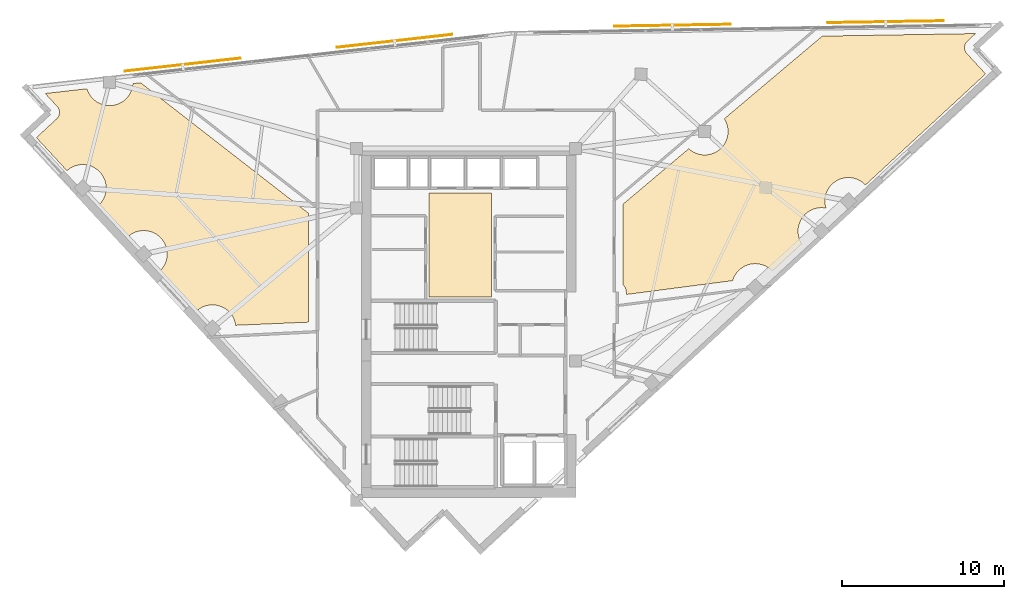
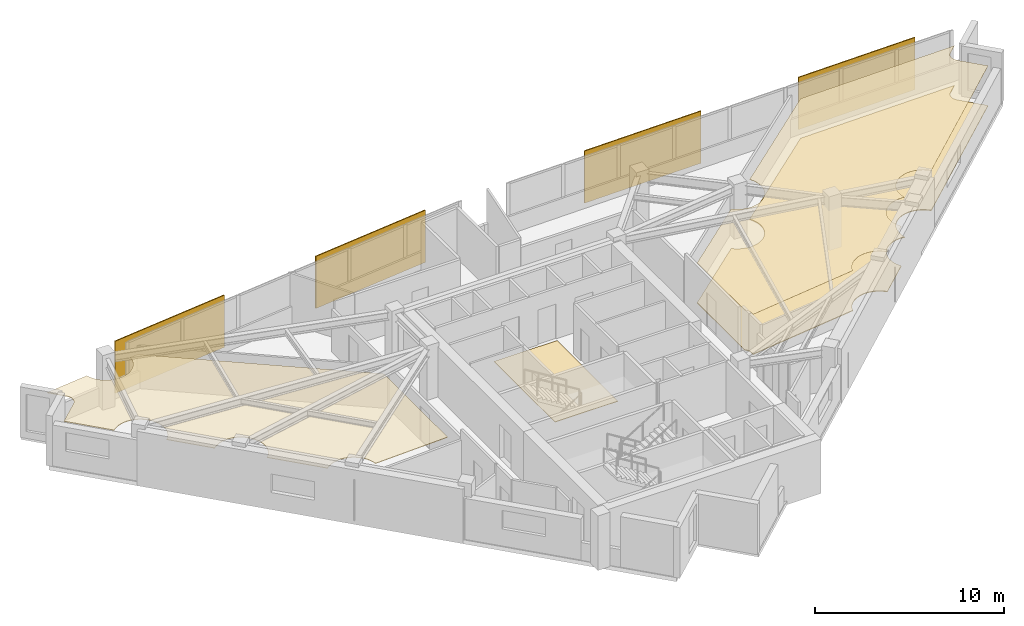
# One storey, part 13 of 13: 4 coverings, 4 shading devices.
"""IFC4 building model written with IfcOpenShell, lengths in metres."""

from ifc_helpers import new_model, si_unit, direction, frame, origin, origin_2d, place, context, subcontext, project, spatial, polyline, rectangle, outline, extrude, material, layer, layer_set, type_object, element, save


model = new_model("IFC4")

# Units and contexts
model_context = context("Model", 3, precision=1e-05, world=origin(), true_north=direction((0.0, 1.0)))
body_context = subcontext(model_context, "Body", "Model", "MODEL_VIEW")
ifc_project = project(units=[si_unit("LENGTHUNIT", "METRE"), si_unit("AREAUNIT", "SQUARE_METRE"), si_unit("VOLUMEUNIT", "CUBIC_METRE"), si_unit("PLANEANGLEUNIT", "RADIAN"), si_unit("MASSUNIT", "GRAM", prefix="KILO")], contexts=[model_context])

# Site, building, storey
site_placement = place(None, origin())
site = spatial("IfcSite", under=ifc_project, at=site_placement, CompositionType="ELEMENT")
building_placement = place(site_placement, origin())
building = spatial("IfcBuilding", under=site, at=building_placement, Name="Narakoshi Arena Tower", CompositionType="ELEMENT")
storey_placement = place(building_placement, frame((0.0, 0.0, 278.340087890625)))
storey = spatial("IfcBuildingStorey", under=building, at=storey_placement, Name="L76", CompositionType="ELEMENT", Elevation=278.340087890625)

# Coverings
ifc_material_1 = material(Name="Acoustic mineral-fibre ceiling tile")
ifc_layer_1 = layer(ifc_material_1, 0.02001953125)
ifc_layer_set_1 = layer_set([ifc_layer_1], Name="Acoustic mineral-fibre ceiling tile")
covering_type_1 = type_object("IfcCoveringType", Name="COV-CLG-AC20", PredefinedType="CEILING", material=ifc_layer_set_1)
covering_1_placement = place(storey_placement, frame((0.0, 0.0, 2.58984375)))
element("IfcCovering", 1, at=covering_1_placement, inside=storey, type_object=covering_type_1, Name="L76 Suspended Acoustic Ceiling 1", PredefinedType="CEILING", context=body_context, shape_type="SweptSolid", body=[
    extrude(outline(polyline([(88.511474609375, 53.056884765625), (92.568115234375, 56.479248046875), (92.630615234375, 56.422607421875), (92.744873046875, 56.337890625), (92.866943359375, 56.264892578125), (92.99560546875, 56.2041015625), (93.12939453125, 56.156005859375), (93.267578125, 56.12158203125), (93.408203125, 56.1005859375), (93.55029296875, 56.093505859375), (93.6923828125, 56.1005859375), (93.833251953125, 56.12158203125), (93.97119140625, 56.156005859375), (94.105224609375, 56.2041015625), (94.23388671875, 56.264892578125), (94.35595703125, 56.337890625), (94.47021484375, 56.422607421875), (94.57568359375, 56.518310546875), (94.67138671875, 56.623779296875), (94.756103515625, 56.738037109375), (94.8291015625, 56.860107421875), (94.889892578125, 56.98876953125), (94.93798828125, 57.122802734375), (94.972412109375, 57.2607421875), (94.993408203125, 57.401611328125), (95.00048828125, 57.543701171875), (94.993408203125, 57.685791015625), (94.972412109375, 57.826416015625), (94.93798828125, 57.964599609375), (94.889892578125, 58.098388671875), (94.8291015625, 58.22705078125), (94.765625, 58.3330078125), (100.831787109375, 63.449951171875), (110.31787109375, 63.606201171875), (109.814453125, 63.140625), (109.776611328125, 63.10205078125), (109.742919921875, 63.06005859375), (109.71337890625, 63.014892578125), (109.688232421875, 62.967041015625), (109.668212890625, 62.9169921875), (109.653076171875, 62.865234375), (109.64306640625, 62.81201171875), (109.63818359375, 62.75830078125), (109.638916015625, 62.704345703125), (109.64453125, 62.65087890625), (109.655517578125, 62.597900390625), (109.671875, 62.54638671875), (109.69287109375, 62.496826171875), (109.71875, 62.449462890625), (109.749267578125, 62.40478515625), (109.783935546875, 62.363525390625), (110.94140625, 61.111328125), (103.500244140625, 54.23291015625), (103.46875, 54.267822265625), (103.36328125, 54.36328125), (103.2490234375, 54.447998046875), (103.126953125, 54.521240234375), (102.998291015625, 54.58203125), (102.8642578125, 54.630126953125), (102.726318359375, 54.66455078125), (102.58544921875, 54.685546875), (102.443359375, 54.6923828125), (102.30126953125, 54.685546875), (102.160400390625, 54.66455078125), (102.0224609375, 54.630126953125), (101.888427734375, 54.58203125), (101.760009765625, 54.521240234375), (101.6376953125, 54.447998046875), (101.5234375, 54.36328125), (101.418212890625, 54.267822265625), (101.322509765625, 54.162353515625), (101.23779296875, 54.048095703125), (101.16455078125, 53.926025390625), (101.103759765625, 53.79736328125), (101.055908203125, 53.663330078125), (101.021240234375, 53.525390625), (101.00048828125, 53.384521484375), (100.993408203125, 53.242431640625), (101.00048828125, 53.100341796875), (101.021240234375, 52.959716796875), (101.055908203125, 52.821533203125), (101.062744140625, 52.802001953125), (100.923828125, 52.822509765625), (100.78173828125, 52.82958984375), (100.6396484375, 52.822509765625), (100.498779296875, 52.8017578125), (100.36083984375, 52.76708984375), (100.226806640625, 52.71923828125), (100.09814453125, 52.658447265625), (99.97607421875, 52.585205078125), (99.86181640625, 52.50048828125), (99.75634765625, 52.40478515625), (99.660888671875, 52.299560546875), (99.576171875, 52.185302734375), (99.5029296875, 52.06298828125), (99.442138671875, 51.9345703125), (99.39404296875, 51.800537109375), (99.359619140625, 51.66259765625), (99.338623046875, 51.521728515625), (99.331787109375, 51.379638671875), (99.338623046875, 51.237548828125), (99.359619140625, 51.0966796875), (99.39404296875, 50.958740234375), (99.442138671875, 50.82470703125), (99.5029296875, 50.696044921875), (99.56396484375, 50.594482421875), (97.735595703125, 48.904296875), (97.7041015625, 48.939208984375), (97.5986328125, 49.03466796875), (97.484375, 49.119384765625), (97.3623046875, 49.192626953125), (97.233642578125, 49.25341796875), (97.099609375, 49.301513671875), (96.961669921875, 49.3359375), (96.82080078125, 49.356689453125), (96.6787109375, 49.36376953125), (96.53662109375, 49.356689453125), (96.395751953125, 49.3359375), (96.2578125, 49.301513671875), (96.123779296875, 49.25341796875), (95.9951171875, 49.192626953125), (95.873046875, 49.119384765625), (95.7587890625, 49.03466796875), (95.6533203125, 48.939208984375), (95.557861328125, 48.833740234375), (95.47314453125, 48.719482421875), (95.39990234375, 48.597412109375), (95.339111328125, 48.46875), (95.291015625, 48.334716796875), (95.2861328125, 48.314453125), (88.699951171875, 47.45654296875), (88.699951171875, 47.6201171875), (88.697509765625, 47.673828125), (88.689453125, 47.727294921875), (88.67626953125, 47.77978515625), (88.658203125, 47.83056640625), (88.635009765625, 47.87939453125), (88.607421875, 47.925537109375), (88.5751953125, 47.968994140625), (88.538818359375, 48.0087890625), (88.511474609375, 48.03369140625), (88.511474609375, 53.056884765625)])), origin(), (0.0, 0.0, 1.0), 0.02001953125),
])
ifc_material_2 = material(Name="Slatted oak acoustic timber baffle", Category="wood")
ifc_layer_2 = layer(ifc_material_2, 0.034912109375)
ifc_layer_set_2 = layer_set([ifc_layer_2], Name="Slatted oak acoustic timber baffle")
covering_type_2 = type_object("IfcCoveringType", Name="COV-CLG-WD35", PredefinedType="CEILING", material=ifc_layer_set_2)
covering_2_placement = place(storey_placement, frame((0.0, 0.0, 2.574951171875)))
element("IfcCovering", 2, at=covering_2_placement, inside=storey, type_object=covering_type_2, Name="L76 Suspended Acoustic Ceiling 2", PredefinedType="CEILING", context=body_context, shape_type="SweptSolid", body=[
    extrude(outline(polyline([(55.326171875, 60.190673828125), (55.32958984375, 60.17724609375), (55.37744140625, 60.043212890625), (55.438232421875, 59.91455078125), (55.511474609375, 59.79248046875), (55.59619140625, 59.67822265625), (55.69189453125, 59.57275390625), (55.797119140625, 59.477294921875), (55.91162109375, 59.392578125), (56.03369140625, 59.3193359375), (56.162109375, 59.258544921875), (56.296142578125, 59.21044921875), (56.43408203125, 59.176025390625), (56.574951171875, 59.155029296875), (56.717041015625, 59.148193359375), (56.859130859375, 59.155029296875), (57.0, 59.176025390625), (57.137939453125, 59.21044921875), (57.27197265625, 59.258544921875), (57.400634765625, 59.3193359375), (57.522705078125, 59.392578125), (57.636962890625, 59.477294921875), (57.742431640625, 59.57275390625), (57.837890625, 59.67822265625), (57.922607421875, 59.79248046875), (57.995849609375, 59.91455078125), (58.056640625, 60.043212890625), (58.104736328125, 60.17724609375), (58.13916015625, 60.315185546875), (58.16015625, 60.4560546875), (58.16259765625, 60.508544921875), (58.642578125, 60.562255859375), (69.03857421875, 52.478515625), (69.03857421875, 45.743408203125), (64.5205078125, 45.54931640625), (64.506103515625, 45.647216796875), (64.471435546875, 45.78515625), (64.423583984375, 45.919189453125), (64.36279296875, 46.047607421875), (64.28955078125, 46.169921875), (64.204833984375, 46.2841796875), (64.109130859375, 46.389404296875), (64.00390625, 46.485107421875), (63.889404296875, 46.56982421875), (63.767333984375, 46.64306640625), (63.638916015625, 46.703857421875), (63.5048828125, 46.751708984375), (63.36669921875, 46.786376953125), (63.22607421875, 46.80712890625), (63.083984375, 46.814208984375), (62.94189453125, 46.80712890625), (62.801025390625, 46.786376953125), (62.6630859375, 46.751708984375), (62.529052734375, 46.703857421875), (62.400390625, 46.64306640625), (62.2783203125, 46.56982421875), (62.1640625, 46.485107421875), (62.108154296875, 46.434326171875), (59.825439453125, 48.90380859375), (59.8603515625, 48.935302734375), (59.955810546875, 49.040771484375), (60.04052734375, 49.155029296875), (60.11376953125, 49.277099609375), (60.174560546875, 49.40576171875), (60.22265625, 49.539794921875), (60.257080078125, 49.677734375), (60.278076171875, 49.818603515625), (60.284912109375, 49.960693359375), (60.278076171875, 50.102783203125), (60.257080078125, 50.243408203125), (60.22265625, 50.381591796875), (60.174560546875, 50.515380859375), (60.11376953125, 50.64404296875), (60.04052734375, 50.76611328125), (59.955810546875, 50.880615234375), (59.8603515625, 50.98583984375), (59.7548828125, 51.08154296875), (59.640625, 51.166259765625), (59.5185546875, 51.239501953125), (59.389892578125, 51.30029296875), (59.255859375, 51.34814453125), (59.117919921875, 51.3828125), (58.97705078125, 51.403564453125), (58.8349609375, 51.41064453125), (58.69287109375, 51.403564453125), (58.552001953125, 51.3828125), (58.4140625, 51.34814453125), (58.280029296875, 51.30029296875), (58.151611328125, 51.239501953125), (58.029296875, 51.166259765625), (57.9150390625, 51.08154296875), (57.859375, 51.03076171875), (56.048583984375, 52.989501953125), (56.08349609375, 53.02099609375), (56.17919921875, 53.12646484375), (56.263916015625, 53.24072265625), (56.3369140625, 53.36279296875), (56.397705078125, 53.491455078125), (56.44580078125, 53.62548828125), (56.480224609375, 53.763427734375), (56.501220703125, 53.904296875), (56.50830078125, 54.04638671875), (56.501220703125, 54.1884765625), (56.480224609375, 54.3291015625), (56.44580078125, 54.46728515625), (56.397705078125, 54.601318359375), (56.3369140625, 54.729736328125), (56.263916015625, 54.851806640625), (56.17919921875, 54.96630859375), (56.08349609375, 55.071533203125), (55.97802734375, 55.167236328125), (55.86376953125, 55.251953125), (55.74169921875, 55.3251953125), (55.613037109375, 55.385986328125), (55.47900390625, 55.433837890625), (55.341064453125, 55.468505859375), (55.2001953125, 55.4892578125), (55.05810546875, 55.496337890625), (54.916015625, 55.4892578125), (54.775390625, 55.468505859375), (54.63720703125, 55.433837890625), (54.50341796875, 55.385986328125), (54.374755859375, 55.3251953125), (54.252685546875, 55.251953125), (54.13818359375, 55.167236328125), (54.08251953125, 55.11669921875), (52.1884765625, 57.16552734375), (53.4404296875, 58.322998046875), (53.478271484375, 58.361572265625), (53.51220703125, 58.403564453125), (53.54150390625, 58.44873046875), (53.566650390625, 58.49658203125), (53.586669921875, 58.546630859375), (53.601806640625, 58.598388671875), (53.61181640625, 58.6513671875), (53.61669921875, 58.705078125), (53.6162109375, 58.75927734375), (53.6103515625, 58.812744140625), (53.599365234375, 58.86572265625), (53.5830078125, 58.917236328125), (53.56201171875, 58.966796875), (53.535888671875, 59.01416015625), (53.505615234375, 59.058837890625), (53.470947265625, 59.10009765625), (52.731689453125, 59.89990234375), (55.326171875, 60.190673828125)])), origin(), (0.0, 0.0, 1.0), 0.034912109375),
])
ifc_material_3 = material(Name="Raised steel access floor panel", Category="steel")
ifc_layer_3 = layer(ifc_material_3, 0.044921875)
ifc_layer_set_3 = layer_set([ifc_layer_3], Name="Raised steel access floor panel")
covering_type_3 = type_object("IfcCoveringType", Name="COV-FLR-RF45", PredefinedType="FLOORING", material=ifc_layer_set_3)
covering_3_placement = place(storey_placement, origin())
element("IfcCovering", 3, at=covering_3_placement, inside=storey, type_object=covering_type_3, Name="L76 Raised Steel Access Floor", PredefinedType="FLOORING", context=body_context, shape_type="SweptSolid", body=[
    extrude(outline(polyline([(88.511474609375, 53.056884765625), (92.568115234375, 56.479248046875), (92.630615234375, 56.422607421875), (92.744873046875, 56.337890625), (92.866943359375, 56.264892578125), (92.99560546875, 56.2041015625), (93.12939453125, 56.156005859375), (93.267578125, 56.12158203125), (93.408203125, 56.1005859375), (93.55029296875, 56.093505859375), (93.6923828125, 56.1005859375), (93.833251953125, 56.12158203125), (93.97119140625, 56.156005859375), (94.105224609375, 56.2041015625), (94.23388671875, 56.264892578125), (94.35595703125, 56.337890625), (94.47021484375, 56.422607421875), (94.57568359375, 56.518310546875), (94.67138671875, 56.623779296875), (94.756103515625, 56.738037109375), (94.8291015625, 56.860107421875), (94.889892578125, 56.98876953125), (94.93798828125, 57.122802734375), (94.972412109375, 57.2607421875), (94.993408203125, 57.401611328125), (95.00048828125, 57.543701171875), (94.993408203125, 57.685791015625), (94.972412109375, 57.826416015625), (94.93798828125, 57.964599609375), (94.889892578125, 58.098388671875), (94.8291015625, 58.22705078125), (94.765625, 58.3330078125), (100.831787109375, 63.449951171875), (110.31787109375, 63.606201171875), (109.814453125, 63.140625), (109.776611328125, 63.10205078125), (109.742919921875, 63.06005859375), (109.71337890625, 63.014892578125), (109.688232421875, 62.967041015625), (109.668212890625, 62.9169921875), (109.653076171875, 62.865234375), (109.64306640625, 62.81201171875), (109.63818359375, 62.75830078125), (109.638916015625, 62.704345703125), (109.64453125, 62.65087890625), (109.655517578125, 62.597900390625), (109.671875, 62.54638671875), (109.69287109375, 62.496826171875), (109.71875, 62.449462890625), (109.749267578125, 62.40478515625), (109.783935546875, 62.363525390625), (110.94140625, 61.111328125), (103.500244140625, 54.23291015625), (103.46875, 54.267822265625), (103.36328125, 54.36328125), (103.2490234375, 54.447998046875), (103.126953125, 54.521240234375), (102.998291015625, 54.58203125), (102.8642578125, 54.630126953125), (102.726318359375, 54.66455078125), (102.58544921875, 54.685546875), (102.443359375, 54.6923828125), (102.30126953125, 54.685546875), (102.160400390625, 54.66455078125), (102.0224609375, 54.630126953125), (101.888427734375, 54.58203125), (101.760009765625, 54.521240234375), (101.6376953125, 54.447998046875), (101.5234375, 54.36328125), (101.418212890625, 54.267822265625), (101.322509765625, 54.162353515625), (101.23779296875, 54.048095703125), (101.16455078125, 53.926025390625), (101.103759765625, 53.79736328125), (101.055908203125, 53.663330078125), (101.021240234375, 53.525390625), (101.00048828125, 53.384521484375), (100.993408203125, 53.242431640625), (101.00048828125, 53.100341796875), (101.021240234375, 52.959716796875), (101.055908203125, 52.821533203125), (101.062744140625, 52.802001953125), (100.923828125, 52.822509765625), (100.78173828125, 52.82958984375), (100.6396484375, 52.822509765625), (100.498779296875, 52.8017578125), (100.36083984375, 52.76708984375), (100.226806640625, 52.71923828125), (100.09814453125, 52.658447265625), (99.97607421875, 52.585205078125), (99.86181640625, 52.50048828125), (99.75634765625, 52.40478515625), (99.660888671875, 52.299560546875), (99.576171875, 52.185302734375), (99.5029296875, 52.06298828125), (99.442138671875, 51.9345703125), (99.39404296875, 51.800537109375), (99.359619140625, 51.66259765625), (99.338623046875, 51.521728515625), (99.331787109375, 51.379638671875), (99.338623046875, 51.237548828125), (99.359619140625, 51.0966796875), (99.39404296875, 50.958740234375), (99.442138671875, 50.82470703125), (99.5029296875, 50.696044921875), (99.56396484375, 50.594482421875), (97.735595703125, 48.904296875), (97.7041015625, 48.939208984375), (97.5986328125, 49.03466796875), (97.484375, 49.119384765625), (97.3623046875, 49.192626953125), (97.233642578125, 49.25341796875), (97.099609375, 49.301513671875), (96.961669921875, 49.3359375), (96.82080078125, 49.356689453125), (96.6787109375, 49.36376953125), (96.53662109375, 49.356689453125), (96.395751953125, 49.3359375), (96.2578125, 49.301513671875), (96.123779296875, 49.25341796875), (95.9951171875, 49.192626953125), (95.873046875, 49.119384765625), (95.7587890625, 49.03466796875), (95.6533203125, 48.939208984375), (95.557861328125, 48.833740234375), (95.47314453125, 48.719482421875), (95.39990234375, 48.597412109375), (95.339111328125, 48.46875), (95.291015625, 48.334716796875), (95.2861328125, 48.314453125), (88.699951171875, 47.45654296875), (88.699951171875, 47.6201171875), (88.697509765625, 47.673828125), (88.689453125, 47.727294921875), (88.67626953125, 47.77978515625), (88.658203125, 47.83056640625), (88.635009765625, 47.87939453125), (88.607421875, 47.925537109375), (88.5751953125, 47.968994140625), (88.538818359375, 48.0087890625), (88.511474609375, 48.03369140625), (88.511474609375, 53.056884765625)])), origin(), (0.0, 0.0, 1.0), 0.044921875),
])
ifc_material_4 = material(Name="Honed granite stone paving", Category="masonry")
ifc_layer_4 = layer(ifc_material_4, 0.030029296875)
ifc_layer_set_4 = layer_set([ifc_layer_4], Name="Honed granite stone paving")
covering_type_4 = type_object("IfcCoveringType", Name="COV-FLR-ST30", PredefinedType="FLOORING", material=ifc_layer_set_4)
covering_4_placement = place(storey_placement, origin())
element("IfcCovering", 4, at=covering_4_placement, inside=storey, type_object=covering_type_4, Name="L76 Lift Lobby Granite Flooring", PredefinedType="FLOORING", context=body_context, shape_type="SweptSolid", body=[
    extrude(outline(polyline([(76.5, 47.300048828125), (80.35009765625, 47.300048828125), (80.35009765625, 53.75), (76.5, 53.75), (76.5, 47.300048828125)])), origin(), (0.0, 0.0, 1.0), 0.030029296875),
])

# Shading devices
ifc_material_5 = material(Name="Perforated bronze ceramic-metal composite")
ifc_layer_5 = layer(ifc_material_5, 0.06005859375)
ifc_layer_set_5 = layer_set([ifc_layer_5], Name="Perforated bronze ceramic-metal composite")
shading_device_type = type_object("IfcShadingDeviceType", Name="SHD-SCR-BRZ2", PredefinedType="USERDEFINED", material=ifc_layer_set_5)
for number, where, z_axis, x_axis, name in (
    (5, (104.75439453125, 64.334716796875, -0.000244140625), (0.0, 0.0, 1.0), (-0.999864849778, -0.016440260879, 0.0), "L76 Perforated Bronze Solar Screen 1-1"),
    (6, (91.556396484375, 64.11767578125, -0.000244140625), (0.0, 0.0, 1.0), (-0.999864849778, -0.016440260879, 0.0), "L76 Perforated Bronze Solar Screen 1-2"),
    (7, (74.3623046875, 63.149658203125, -0.000244140625), (0.0, 0.0, 1.0), (-0.993775698738, -0.111399553846, 0.0), "L76 Perforated Bronze Solar Screen 2-1"),
    (8, (61.24462890625, 61.67919921875, -0.000244140625), (0.0, 0.0, 1.0), (-0.993775698738, -0.111399553846, 0.0), "L76 Perforated Bronze Solar Screen 2-2"),
):
    element("IfcShadingDevice", number, at=place(storey_placement, frame(where, z_axis=z_axis, x_axis=x_axis)), inside=storey, type_object=shading_device_type, Name=name, ObjectType="SOLAR SCREEN", PredefinedType="USERDEFINED", context=body_context, shape_type="SweptSolid", body=[
        extrude(rectangle(XDim=7.199951171875, YDim=0.06005859375, at=origin_2d()), origin(), (0.0, 0.0, 1.0), 3.3701171875),
    ])

save(model, "model.ifc")
